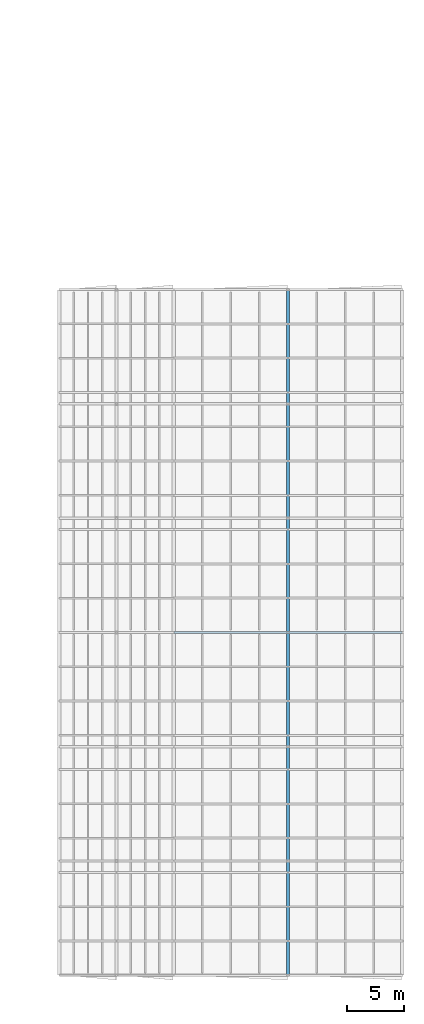
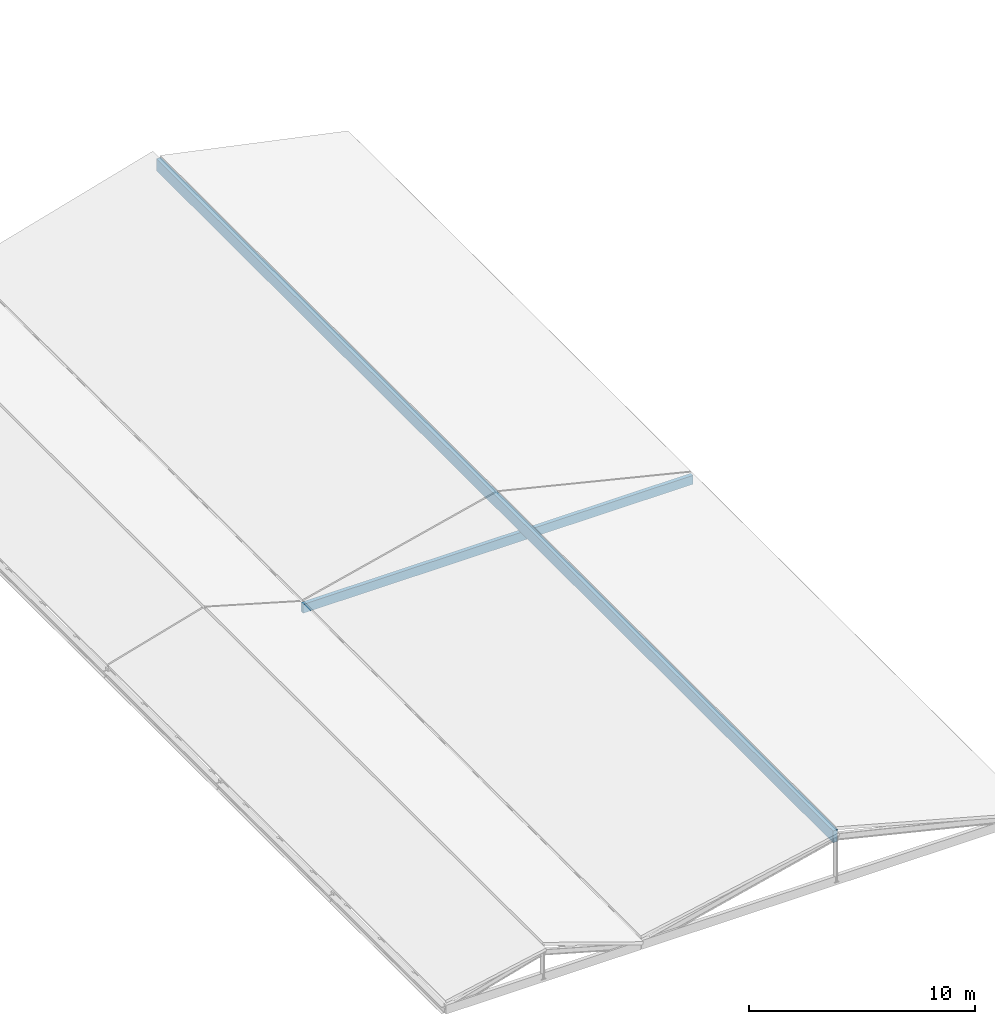
# One storey, part 63 of 90: 2 beams.
"""IFC4 building model written with IfcOpenShell, lengths in metres."""

from ifc_helpers import new_model, si_unit, direction, frame, origin, origin_2d, place, context, subcontext, project, spatial, rectangle, extrude, material, material_profile, profile_set, type_object, element, save


model = new_model("IFC4")

# Units and contexts
model_context = context("Model", 3, precision=1e-05, world=origin(), true_north=direction((0.0, 1.0)))
body_context = subcontext(model_context, "Body", "Model", "MODEL_VIEW")
ifc_project = project(units=[si_unit("LENGTHUNIT", "METRE"), si_unit("AREAUNIT", "SQUARE_METRE"), si_unit("VOLUMEUNIT", "CUBIC_METRE"), si_unit("PLANEANGLEUNIT", "RADIAN"), si_unit("MASSUNIT", "GRAM", prefix="KILO"), si_unit("THERMODYNAMICTEMPERATUREUNIT", "KELVIN"), si_unit("POWERUNIT", "WATT")], contexts=[model_context])

# Site, building, storey
site_placement = place(None, origin())
site = spatial("IfcSite", under=ifc_project, at=site_placement, CompositionType="ELEMENT")
building_placement = place(site_placement, origin())
building = spatial("IfcBuilding", under=site, at=building_placement, Name="Korenveer Ferry Terminal", CompositionType="ELEMENT")
storey_placement = place(building_placement, frame((0.0, 0.0, 22.199951171875)))
storey = spatial("IfcBuildingStorey", under=building, at=storey_placement, Name="RF", CompositionType="ELEMENT", Elevation=22.199951171875)

# Beams
ifc_material = material(Name="Glulam GL28h", Category="wood")
ifc_material_profile_1 = material_profile(ifc_material, rectangle(XDim=0.199951171875, YDim=0.47998046875, at=origin_2d()), Name="GL 200x480")
ifc_profile_set_1 = profile_set([ifc_material_profile_1], Name="Glulam GL28h")
beam_type_1 = type_object("IfcBeamType", Name="STR-RFG-GL200", PredefinedType="USERDEFINED", material=ifc_profile_set_1)
beam_1_placement = place(storey_placement, frame((156.02001953125, 50.0, -7.56005859375), z_axis=(1.0, 0.0, 0.0), x_axis=(0.0, 1.0, 0.0)))
element("IfcBeam", 1, at=beam_1_placement, inside=storey, type_object=beam_type_1, Name="Wing roof collar tie EAST 154", ObjectType="ROOF GIRDER", PredefinedType="USERDEFINED", context=body_context, shape_type="SweptSolid", body=[
    extrude(rectangle(XDim=0.199951171875, YDim=0.47998046875, at=origin_2d()), origin(), (0.0, 0.0, 1.0), 19.9599609375),
])
ifc_material_profile_2 = material_profile(ifc_material, rectangle(XDim=0.239990234375, YDim=0.639892578125, at=origin_2d()), Name="GL 240x640")
ifc_profile_set_2 = profile_set([ifc_material_profile_2], Name="Glulam GL28h")
beam_type_2 = type_object("IfcBeamType", Name="STR-RFG-GL240C", PredefinedType="USERDEFINED", material=ifc_profile_set_2)
beam_2_placement = place(storey_placement, frame((166.0, 20.0, -5.219970703125), z_axis=(0.0, 1.0, 0.0), x_axis=(-1.0, 0.0, 0.0)))
element("IfcBeam", 2, at=beam_2_placement, inside=storey, type_object=beam_type_2, Name="Wing roof glulam ridge beam EAST", ObjectType="ROOF GIRDER", PredefinedType="USERDEFINED", context=body_context, shape_type="SweptSolid", body=[
    extrude(rectangle(XDim=0.239990234375, YDim=0.639892578125, at=origin_2d()), origin(), (0.0, 0.0, 1.0), 60.0),
])

save(model, "model.ifc")
